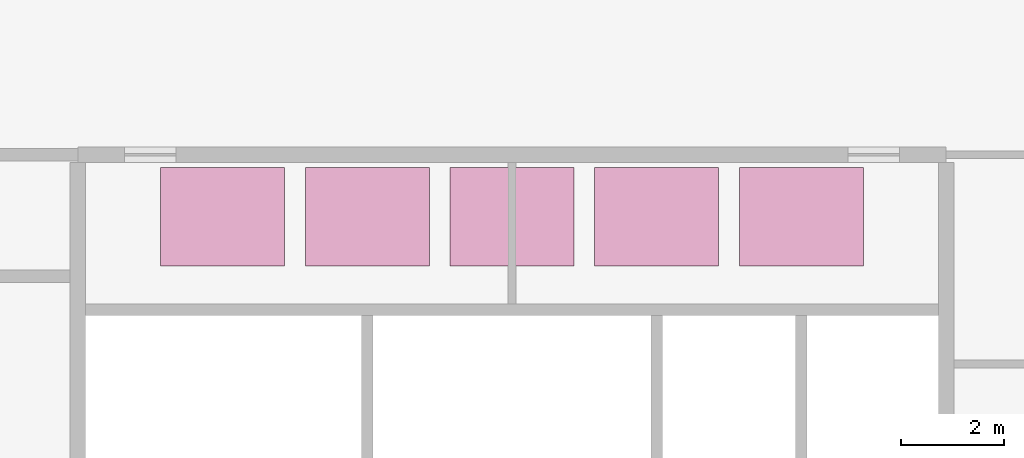
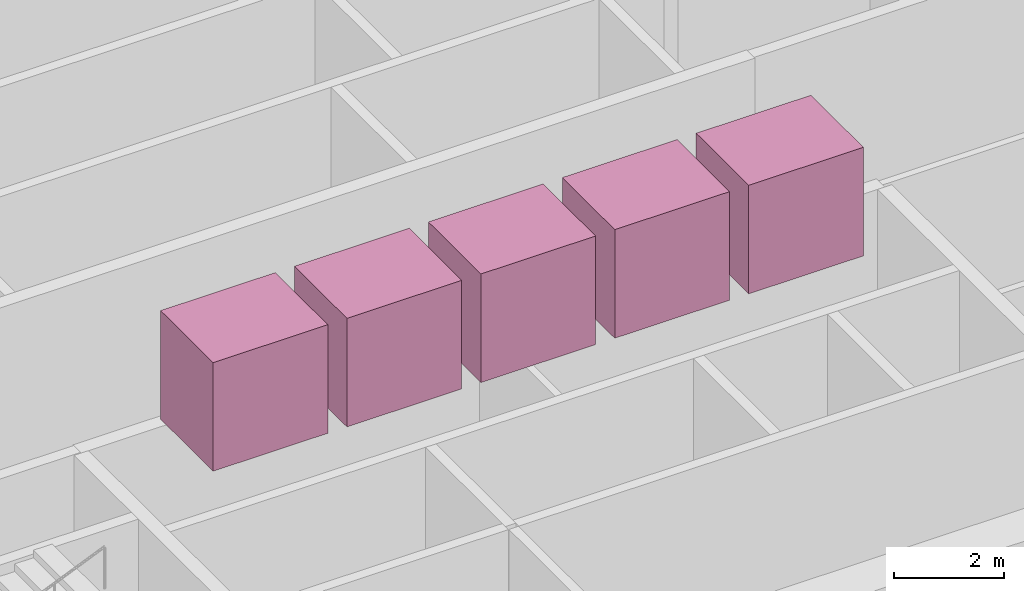
# One storey, part 11 of 11: 5 transport elements.
"""IFC4 building model written with IfcOpenShell, lengths in metres."""

from ifc_helpers import new_model, si_unit, direction, frame, origin, origin_2d, place, context, subcontext, project, spatial, rectangle, extrude, material, type_object, element, save


model = new_model("IFC4")

# Units and contexts
model_context = context("Model", 3, precision=1e-05, world=origin(), true_north=direction((0.0, 1.0)))
body_context = subcontext(model_context, "Body", "Model", "MODEL_VIEW")
ifc_project = project(units=[si_unit("LENGTHUNIT", "METRE"), si_unit("AREAUNIT", "SQUARE_METRE"), si_unit("VOLUMEUNIT", "CUBIC_METRE"), si_unit("PLANEANGLEUNIT", "RADIAN"), si_unit("MASSUNIT", "GRAM", prefix="KILO")], contexts=[model_context])

# Site, building, storey
site_placement = place(None, origin())
site = spatial("IfcSite", under=ifc_project, at=site_placement, CompositionType="ELEMENT")
building_placement = place(site_placement, origin())
building = spatial("IfcBuilding", under=site, at=building_placement, Name="Marenthal Gate Tower", CompositionType="ELEMENT")
storey_placement = place(building_placement, frame((0.0, 0.0, 273.10009765625)))
storey = spatial("IfcBuildingStorey", under=building, at=storey_placement, Name="L61", CompositionType="ELEMENT", Elevation=273.10009765625)

# Transport elements
ifc_material = material(Name="Stainless steel and glass car", Category="steel")
transport_element_type = type_object("IfcTransportElementType", Name="Passenger lift 2400 x 1900", PredefinedType="ELEVATOR", material=ifc_material)
for number, where, z_axis, x_axis, name in (
    (1, (-5.60009765625, -3.550048828125, 6.0), (0.0, 0.0, 1.0), (1.0, 0.0, 0.0), "Lift HP1"),
    (2, (-2.800048828125, -3.550048828125, 6.0), (0.0, 0.0, 1.0), (1.0, 0.0, 0.0), "Lift HP2"),
    (3, (0.0, -3.550048828125, 6.0), (0.0, 0.0, 1.0), (1.0, 0.0, 0.0), "Lift HP3"),
    (4, (2.800048828125, -3.550048828125, 6.0), (0.0, 0.0, 1.0), (1.0, 0.0, 0.0), "Lift HP4"),
    (5, (5.60009765625, -3.550048828125, 6.0), (0.0, 0.0, 1.0), (1.0, 0.0, 0.0), "Lift HP5"),
):
    element("IfcTransportElement", number, at=place(storey_placement, frame(where, z_axis=z_axis, x_axis=x_axis)), inside=storey, type_object=transport_element_type, Name=name, PredefinedType="ELEVATOR", context=body_context, shape_type="SweptSolid", body=[
        extrude(rectangle(XDim=2.39990234375, YDim=1.89990234375, at=origin_2d()), origin(), (0.0, 0.0, 1.0), 2.39990234375),
    ])

save(model, "model.ifc")
